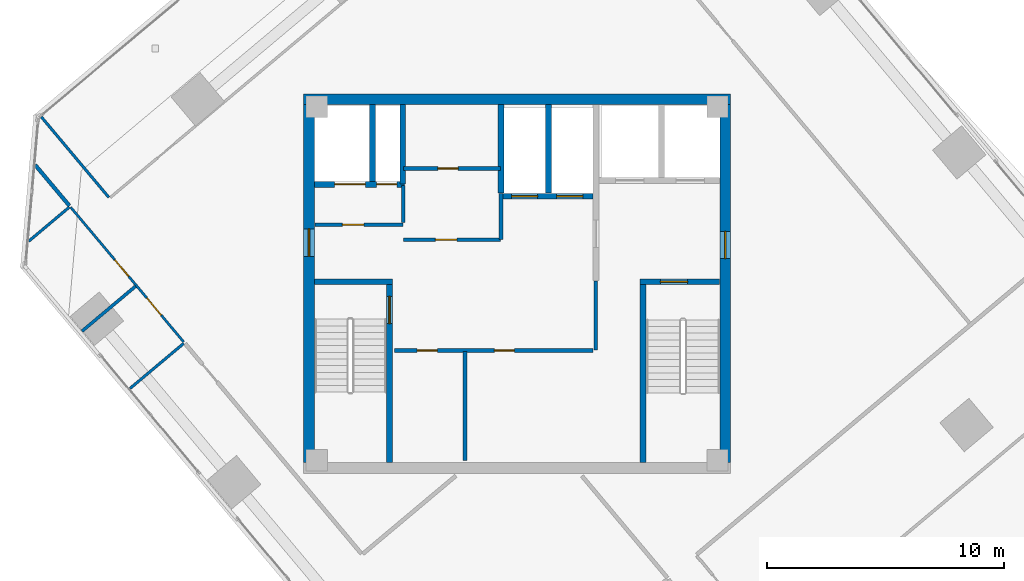
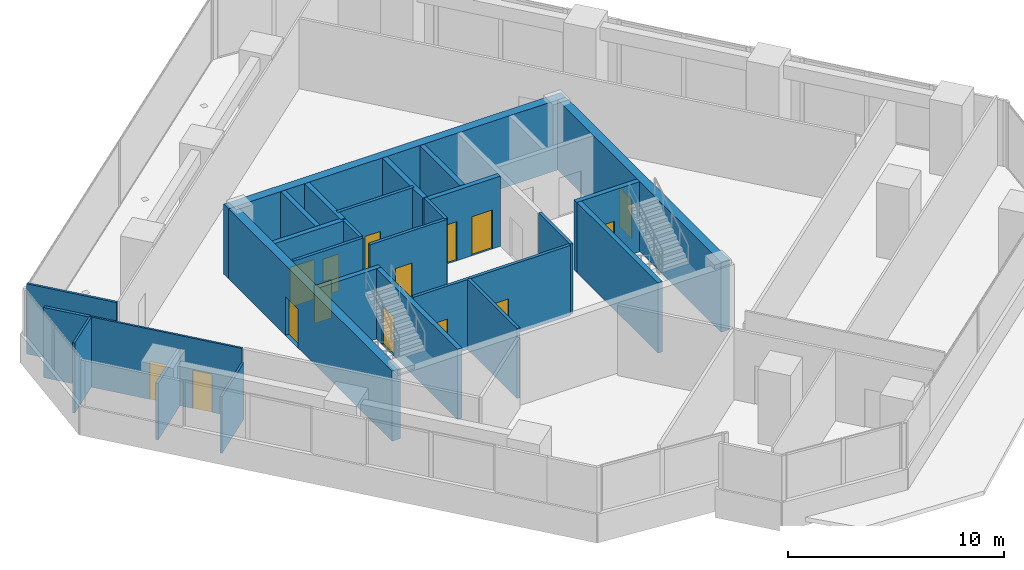
# One storey, part 13 of 17: 27 walls, 15 doors, 15 openings.
"""IFC4 building model written with IfcOpenShell, lengths in metres."""

from ifc_helpers import new_model, si_unit, direction, frame, frame_2d, origin, place, context, subcontext, project, spatial, rectangle, extrude, source, transform, mapped, material, layer, layer_set, type_object, element, fill, save


model = new_model("IFC4")

# Units and contexts
model_context = context("Model", 3, precision=1e-05, world=origin(), true_north=direction((0.0, 1.0)))
body_context = subcontext(model_context, "Body", "Model", "MODEL_VIEW")
ifc_project = project(units=[si_unit("LENGTHUNIT", "METRE"), si_unit("AREAUNIT", "SQUARE_METRE"), si_unit("VOLUMEUNIT", "CUBIC_METRE"), si_unit("PLANEANGLEUNIT", "RADIAN"), si_unit("MASSUNIT", "GRAM", prefix="KILO")], contexts=[model_context])

# Site, building, storey
site_placement = place(None, origin())
site = spatial("IfcSite", under=ifc_project, at=site_placement, CompositionType="ELEMENT")
building_placement = place(site_placement, origin())
building = spatial("IfcBuilding", under=site, at=building_placement, Name="Torre Montelarca", CompositionType="ELEMENT")
storey_placement = place(building_placement, frame((0.0, 0.0, 266.800048828125)))
storey = spatial("IfcBuildingStorey", under=building, at=storey_placement, Name="L60", CompositionType="ELEMENT", Elevation=266.800048828125)

# Wall, opening, door
ifc_material_1 = material(Name="Concrete C40/50", Category="concrete")
ifc_layer_1 = layer(ifc_material_1, 0.25, Name="Concrete C40/50", Category="concrete")
ifc_layer_set_1 = layer_set([ifc_layer_1], Name="Concrete C40/50")
wall_type_1 = type_object("IfcWallType", Name="CW-SHAFT-250", PredefinedType="SHEAR", material=ifc_layer_set_1)
wall_1_placement = place(storey_placement, frame((12.625, 24.4599609375, 0.0), z_axis=(0.0, 0.0, 1.0), x_axis=(0.0, 1.0, 0.0)))
wall_1 = element("IfcWall", 1, at=wall_1_placement, inside=storey, type_object=wall_type_1, Name="L60 Core Shear Wall SH-ST1-E", PredefinedType="SHEAR", context=body_context, shape_type="SweptSolid", body=[
    extrude(rectangle(XDim=7.489990234375, YDim=0.25, at=frame_2d((3.7451171875, 0.0))), origin(), (0.0, 0.0, 1.0), 3.9599609375),
])
opening_1_placement = place(wall_1_placement, frame((5.85009765625, 0.0, 0.0)))
opening_1 = element("IfcOpeningElement", 2, at=opening_1_placement, cuts=wall_1, Name="Opening FD-ST1", PredefinedType="OPENING", context=body_context, shape_type="SweptSolid", body=[
    extrude(rectangle(XDim=1.14990234375, YDim=2.199951171875, at=frame_2d((0.574951171875, 1.10009765625))), frame((0.0, 0.135009765625, 0.0), z_axis=(0.0, -1.0, 0.0), x_axis=(1.0, 0.0, 0.0)), (0.0, 0.0, 1.0), 0.27001953125),
])
ifc_material_2 = material(Name="Galvanized steel fire door", Category="steel")
door_type_1 = type_object("IfcDoorType", Name="DR-STAIR-115", OperationType="NOTDEFINED", PredefinedType="DOOR", material=ifc_material_2)
shared_shape_1 = source(origin(), body_context, "Body", "SweptSolid", [
    extrude(rectangle(XDim=1.14990234375, YDim=2.199951171875, at=frame_2d((0.574951171875, 1.10009765625))), frame((0.0, 0.02490234375, 0.0), z_axis=(0.0, -1.0, 0.0), x_axis=(1.0, 0.0, 0.0)), (0.0, 0.0, 1.0), 0.050048828125),
])
door_1_placement = place(opening_1_placement, origin())
door_1 = element("IfcDoor", 3, at=door_1_placement, inside=storey, type_object=door_type_1, Name="L60 Exit Stair ST1 Fire Door", OperationType="SINGLE_SWING_RIGHT", OverallHeight=2.199951171875, OverallWidth=1.14990234375, PredefinedType="DOOR", context=body_context, shape_type="MappedRepresentation", body=[
    mapped(shared_shape_1, transform((0.0, 0.0, 0.0), scale=1.0)),
])
fill(opening_1, door_1)

# Walls
wall_2_placement = place(storey_placement, frame((9.4599609375, 32.074951171875, 0.0), z_axis=(0.0, 0.0, 1.0), x_axis=(1.0, 0.0, 0.0)))
element("IfcWall", 4, at=wall_2_placement, inside=storey, type_object=wall_type_1, Name="L60 Core Shear Wall SH-ST1-N", PredefinedType="SHEAR", context=body_context, shape_type="SweptSolid", body=[
    extrude(rectangle(XDim=3.2900390625, YDim=0.25, at=frame_2d((1.64501953125, 0.0))), origin(), (0.0, 0.0, 1.0), 3.9599609375),
])
wall_3_placement = place(storey_placement, frame((23.31494140625, 24.4599609375, 0.0), z_axis=(0.0, 0.0, 1.0), x_axis=(0.0, 1.0, 0.0)))
element("IfcWall", 5, at=wall_3_placement, inside=storey, type_object=wall_type_1, Name="L60 Core Shear Wall SH-ST2-W", PredefinedType="SHEAR", context=body_context, shape_type="SweptSolid", body=[
    extrude(rectangle(XDim=7.489990234375, YDim=0.25, at=frame_2d((3.7451171875, 0.0))), origin(), (0.0, 0.0, 1.0), 3.9599609375),
])

# Wall, opening, door
wall_4_placement = place(storey_placement, frame((23.18994140625, 32.074951171875, 0.0), z_axis=(0.0, 0.0, 1.0), x_axis=(1.0, 0.0, 0.0)))
wall_4 = element("IfcWall", 6, at=wall_4_placement, inside=storey, type_object=wall_type_1, Name="L60 Core Shear Wall SH-ST2-N", PredefinedType="SHEAR", context=body_context, shape_type="SweptSolid", body=[
    extrude(rectangle(XDim=3.35009765625, YDim=0.25, at=frame_2d((1.675048828125, 0.0))), origin(), (0.0, 0.0, 1.0), 3.9599609375),
])
opening_2_placement = place(wall_4_placement, frame((0.85009765625, 0.0, 0.0)))
opening_2 = element("IfcOpeningElement", 7, at=opening_2_placement, cuts=wall_4, Name="Opening FD-ST1", PredefinedType="OPENING", context=body_context, shape_type="SweptSolid", body=[
    extrude(rectangle(XDim=1.14990234375, YDim=2.199951171875, at=frame_2d((0.574951171875, 1.10009765625))), frame((0.0, 0.135009765625, 0.0), z_axis=(0.0, -1.0, 0.0), x_axis=(1.0, 0.0, 0.0)), (0.0, 0.0, 1.0), 0.27001953125),
])
door_2_placement = place(opening_2_placement, origin())
door_2 = element("IfcDoor", 8, at=door_2_placement, inside=storey, type_object=door_type_1, Name="L60 Exit Stair ST2 Fire Door", OperationType="SINGLE_SWING_RIGHT", OverallHeight=2.199951171875, OverallWidth=1.14990234375, PredefinedType="DOOR", context=body_context, shape_type="MappedRepresentation", body=[
    mapped(shared_shape_1, transform((0.0, 0.0, 0.0), scale=1.0)),
])
fill(opening_2, door_2)

# Wall, openings, doors
wall_5_placement = place(storey_placement, frame((9.4599609375, 36.179931640625, 0.0), z_axis=(0.0, 0.0, 1.0), x_axis=(1.0, 0.0, 0.0)))
wall_5 = element("IfcWall", 9, at=wall_5_placement, inside=storey, type_object=wall_type_1, Name="L60 Core Shear Wall SH-SV1-S", PredefinedType="SHEAR", context=body_context, shape_type="SweptSolid", body=[
    extrude(rectangle(XDim=3.7900390625, YDim=0.25, at=frame_2d((1.89501953125, 0.0))), origin(), (0.0, 0.0, 1.0), 3.9599609375),
])
opening_3_placement = place(wall_5_placement, frame((2.6201171875, 0.0, 0.0)))
opening_3 = element("IfcOpeningElement", 10, at=opening_3_placement, cuts=wall_5, Name="Opening FD-085", PredefinedType="OPENING", context=body_context, shape_type="SweptSolid", body=[
    extrude(rectangle(XDim=0.85009765625, YDim=2.10009765625, at=frame_2d((0.425048828125, 1.050048828125))), frame((0.0, 0.135009765625, 0.0), z_axis=(0.0, -1.0, 0.0), x_axis=(1.0, 0.0, 0.0)), (0.0, 0.0, 1.0), 0.27001953125),
])
opening_4_placement = place(wall_5_placement, frame((0.85009765625, 0.0, 0.0)))
opening_4 = element("IfcOpeningElement", 11, at=opening_4_placement, cuts=wall_5, Name="Opening LD-130", PredefinedType="OPENING", context=body_context, shape_type="SweptSolid", body=[
    extrude(rectangle(XDim=1.300048828125, YDim=2.25, at=frame_2d((0.64990234375, 1.125))), frame((0.0, 0.135009765625, 0.0), z_axis=(0.0, -1.0, 0.0), x_axis=(1.0, 0.0, 0.0)), (0.0, 0.0, 1.0), 0.27001953125),
])
ifc_material_3 = material(Name="Steel riser access fire door", Category="steel")
door_type_2 = type_object("IfcDoorType", Name="DR-RISER-085", OperationType="NOTDEFINED", PredefinedType="DOOR", material=ifc_material_3)
shared_shape_2 = source(origin(), body_context, "Body", "SweptSolid", [
    extrude(rectangle(XDim=0.85009765625, YDim=2.10009765625, at=frame_2d((0.425048828125, 1.050048828125))), frame((0.0, 0.02490234375, 0.0), z_axis=(0.0, -1.0, 0.0), x_axis=(1.0, 0.0, 0.0)), (0.0, 0.0, 1.0), 0.050048828125),
])
door_3_placement = place(opening_3_placement, origin())
door_3 = element("IfcDoor", 12, at=door_3_placement, inside=storey, type_object=door_type_2, Name="L60 Electrical Riser Shaft Access Door", OperationType="SINGLE_SWING_RIGHT", OverallHeight=2.10009765625, OverallWidth=0.85009765625, PredefinedType="DOOR", context=body_context, shape_type="MappedRepresentation", body=[
    mapped(shared_shape_2, transform((0.0, 0.0, 0.0), scale=1.0)),
])
fill(opening_3, door_3)
ifc_material_4 = material(Name="Brushed stainless steel AISI 316", Category="steel")
door_type_3 = type_object("IfcDoorType", Name="DR-LIFT-130", OperationType="SLIDING_TO_LEFT", PredefinedType="DOOR", material=ifc_material_4)
shared_shape_3 = source(origin(), body_context, "Body", "SweptSolid", [
    extrude(rectangle(XDim=1.300048828125, YDim=2.25, at=frame_2d((0.64990234375, 1.125))), frame((0.0, 0.02490234375, 0.0), z_axis=(0.0, -1.0, 0.0), x_axis=(1.0, 0.0, 0.0)), (0.0, 0.0, 1.0), 0.050048828125),
])
door_4_placement = place(opening_4_placement, origin())
door_4 = element("IfcDoor", 13, at=door_4_placement, inside=storey, type_object=door_type_3, Name="L60 Lift Landing Sliding Door SV-1", OperationType="SLIDING_TO_LEFT", OverallHeight=2.25, OverallWidth=1.300048828125, PredefinedType="DOOR", context=body_context, shape_type="MappedRepresentation", body=[
    mapped(shared_shape_3, transform((0.0, 0.0, 0.0), scale=1.0)),
])
fill(opening_4, door_4)

# Walls
wall_6_placement = place(storey_placement, frame((11.89990234375, 36.31005859375, 0.0), z_axis=(0.0, 0.0, 1.0), x_axis=(0.0, 1.0, 0.0)))
element("IfcWall", 14, at=wall_6_placement, inside=storey, type_object=wall_type_1, Name="L60 Core Shear Wall SH-SV1-E", PredefinedType="SHEAR", context=body_context, shape_type="SweptSolid", body=[
    extrude(rectangle(XDim=3.22998046875, YDim=0.25, at=frame_2d((1.614990234375, 0.0))), origin(), (0.0, 0.0, 1.0), 3.9599609375),
])
wall_7_placement = place(storey_placement, frame((13.179931640625, 36.199951171875, 0.0), z_axis=(0.0, 0.0, 1.0), x_axis=(0.0, 1.0, 0.0)))
element("IfcWall", 15, at=wall_7_placement, inside=storey, type_object=wall_type_1, Name="L60 Core Shear Wall SH-RSR1-E", PredefinedType="SHEAR", context=body_context, shape_type="SweptSolid", body=[
    extrude(rectangle(XDim=3.340087890625, YDim=0.25, at=frame_2d((1.669921875, 0.0))), origin(), (0.0, 0.0, 1.0), 3.9599609375),
])

# Wall, openings, doors
wall_8_placement = place(storey_placement, frame((17.320068359375, 35.679931640625, 0.0), z_axis=(0.0, 0.0, 1.0), x_axis=(1.0, 0.0, 0.0)))
wall_8 = element("IfcWall", 16, at=wall_8_placement, inside=storey, type_object=wall_type_1, Name="L60 Core Shear Wall SH-PLH-S", PredefinedType="SHEAR", context=body_context, shape_type="SweptSolid", body=[
    extrude(rectangle(XDim=3.869873046875, YDim=0.25, at=frame_2d((1.93505859375, 0.0))), origin(), (0.0, 0.0, 1.0), 3.9599609375),
])
opening_5_placement = place(wall_8_placement, frame((0.449951171875, 0.0, 0.0)))
opening_5 = element("IfcOpeningElement", 17, at=opening_5_placement, cuts=wall_8, Name="Opening LD-110", PredefinedType="OPENING", context=body_context, shape_type="SweptSolid", body=[
    extrude(rectangle(XDim=1.10009765625, YDim=2.199951171875, at=frame_2d((0.550048828125, 1.10009765625))), frame((0.0, 0.135009765625, 0.0), z_axis=(0.0, -1.0, 0.0), x_axis=(1.0, 0.0, 0.0)), (0.0, 0.0, 1.0), 0.27001953125),
])
opening_6_placement = place(wall_8_placement, frame((2.35009765625, 0.0, 0.0)))
opening_6 = element("IfcOpeningElement", 18, at=opening_6_placement, cuts=wall_8, Name="Opening LD-110", PredefinedType="OPENING", context=body_context, shape_type="SweptSolid", body=[
    extrude(rectangle(XDim=1.10009765625, YDim=2.199951171875, at=frame_2d((0.550048828125, 1.10009765625))), frame((0.0, 0.135009765625, 0.0), z_axis=(0.0, -1.0, 0.0), x_axis=(1.0, 0.0, 0.0)), (0.0, 0.0, 1.0), 0.27001953125),
])
door_type_4 = type_object("IfcDoorType", Name="DR-LIFT-110", OperationType="SLIDING_TO_LEFT", PredefinedType="DOOR", material=ifc_material_4)
shared_shape_4 = source(origin(), body_context, "Body", "SweptSolid", [
    extrude(rectangle(XDim=1.10009765625, YDim=2.199951171875, at=frame_2d((0.550048828125, 1.10009765625))), frame((0.0, 0.02490234375, 0.0), z_axis=(0.0, -1.0, 0.0), x_axis=(1.0, 0.0, 0.0)), (0.0, 0.0, 1.0), 0.050048828125),
])
door_5_placement = place(opening_5_placement, origin())
door_5 = element("IfcDoor", 19, at=door_5_placement, inside=storey, type_object=door_type_4, Name="L60 Lift Landing Sliding Door PL-H1", OperationType="SLIDING_TO_LEFT", OverallHeight=2.199951171875, OverallWidth=1.10009765625, PredefinedType="DOOR", context=body_context, shape_type="MappedRepresentation", body=[
    mapped(shared_shape_4, transform((0.0, 0.0, 0.0), scale=1.0)),
])
fill(opening_5, door_5)
door_6_placement = place(opening_6_placement, origin())
door_6 = element("IfcDoor", 20, at=door_6_placement, inside=storey, type_object=door_type_4, Name="L60 Lift Landing Sliding Door PL-H2", OperationType="SLIDING_TO_RIGHT", OverallHeight=2.199951171875, OverallWidth=1.10009765625, PredefinedType="DOOR", context=body_context, shape_type="MappedRepresentation", body=[
    mapped(shared_shape_4, transform((0.0, 0.0, 0.0), scale=1.0)),
])
fill(opening_6, door_6)

# Walls
for number, where, z_axis, x_axis, name in (
    (21, (17.320068359375, 35.81005859375, 0.0), (0.0, 0.0, 1.0), (0.0, 1.0, 0.0), "L60 Core Shear Wall SH-PLH-W"),
    (22, (19.320068359375, 35.81005859375, 0.0), (0.0, 0.0, 1.0), (0.0, 1.0, 0.0), "L60 Core Shear Wall SH-PLH-M"),
):
    element("IfcWall", number, at=place(storey_placement, frame(where, z_axis=z_axis, x_axis=x_axis)), inside=storey, type_object=wall_type_1, Name=name, PredefinedType="SHEAR", context=body_context, shape_type="SweptSolid", body=[
        extrude(rectangle(XDim=3.72998046875, YDim=0.25, at=frame_2d((1.864990234375, 0.0))), origin(), (0.0, 0.0, 1.0), 3.9599609375),
    ])

# Wall, opening, door
ifc_material_5 = material(Name="Concrete C55/67", Category="concrete")
ifc_layer_2 = layer(ifc_material_5, 0.449951171875, Name="Concrete C55/67", Category="concrete")
ifc_layer_set_2 = layer_set([ifc_layer_2], Name="Concrete C55/67")
wall_type_2 = type_object("IfcWallType", Name="CW-SHEAR-450", PredefinedType="SHEAR", material=ifc_layer_set_2)
wall_9_placement = place(storey_placement, frame((9.22509765625, 24.449951171875, 0.0), z_axis=(0.0, 0.0, 1.0), x_axis=(0.0, 1.0, 0.0)))
wall_9 = element("IfcWall", 23, at=wall_9_placement, inside=storey, type_object=wall_type_2, Name="L60 Core Shear Wall CW-W", PredefinedType="SHEAR", context=body_context, shape_type="SweptSolid", body=[
    extrude(rectangle(XDim=15.10009765625, YDim=0.449951171875, at=frame_2d((7.550048828125, 0.0))), origin(), (0.0, 0.0, 1.0), 3.9599609375),
])
opening_7_placement = place(wall_9_placement, frame((8.699951171875, 0.0, 0.0)))
opening_7 = element("IfcOpeningElement", 24, at=opening_7_placement, cuts=wall_9, Name="Opening FD-LB1", PredefinedType="OPENING", context=body_context, shape_type="SweptSolid", body=[
    extrude(rectangle(XDim=1.14990234375, YDim=2.199951171875, at=frame_2d((0.574951171875, 1.10009765625))), frame((0.0, 0.23486328125, 0.0), z_axis=(0.0, -1.0, 0.0), x_axis=(1.0, 0.0, 0.0)), (0.0, 0.0, 1.0), 0.469970703125),
])
ifc_material_6 = material(Name="Acoustic timber-veneered fire door", Category="wood")
door_type_5 = type_object("IfcDoorType", Name="DR-LOBBY-115", OperationType="NOTDEFINED", PredefinedType="DOOR", material=ifc_material_6)
shared_shape_5 = source(origin(), body_context, "Body", "SweptSolid", [
    extrude(rectangle(XDim=1.14990234375, YDim=2.199951171875, at=frame_2d((0.574951171875, 1.10009765625))), frame((0.0, 0.02490234375, 0.0), z_axis=(0.0, -1.0, 0.0), x_axis=(1.0, 0.0, 0.0)), (0.0, 0.0, 1.0), 0.050048828125),
])
door_7_placement = place(opening_7_placement, origin())
door_7 = element("IfcDoor", 25, at=door_7_placement, inside=storey, type_object=door_type_5, Name="L60 Passenger Lift Lobby West Corridor Fire Door", OperationType="SINGLE_SWING_RIGHT", OverallHeight=2.199951171875, OverallWidth=1.14990234375, PredefinedType="DOOR", context=body_context, shape_type="MappedRepresentation", body=[
    mapped(shared_shape_5, transform((0.0, 0.0, 0.0), scale=1.0)),
])
fill(opening_7, door_7)

wall_10_placement = place(storey_placement, frame((26.77490234375, 24.449951171875, 0.0), z_axis=(0.0, 0.0, 1.0), x_axis=(0.0, 1.0, 0.0)))
wall_10 = element("IfcWall", 26, at=wall_10_placement, inside=storey, type_object=wall_type_2, Name="L60 Core Shear Wall CW-E", PredefinedType="SHEAR", context=body_context, shape_type="SweptSolid", body=[
    extrude(rectangle(XDim=15.10009765625, YDim=0.449951171875, at=frame_2d((7.550048828125, 0.0))), origin(), (0.0, 0.0, 1.0), 3.9599609375),
])
opening_8_placement = place(wall_10_placement, frame((8.60009765625, 0.0, 0.0)))
opening_8 = element("IfcOpeningElement", 27, at=opening_8_placement, cuts=wall_10, Name="Opening FD-LB1", PredefinedType="OPENING", context=body_context, shape_type="SweptSolid", body=[
    extrude(rectangle(XDim=1.14990234375, YDim=2.199951171875, at=frame_2d((0.574951171875, 1.10009765625))), frame((0.0, 0.23486328125, 0.0), z_axis=(0.0, -1.0, 0.0), x_axis=(1.0, 0.0, 0.0)), (0.0, 0.0, 1.0), 0.469970703125),
])
door_8_placement = place(opening_8_placement, origin())
door_8 = element("IfcDoor", 28, at=door_8_placement, inside=storey, type_object=door_type_5, Name="L60 Firefighting Lift Lobby Corridor Fire Door", OperationType="SINGLE_SWING_RIGHT", OverallHeight=2.199951171875, OverallWidth=1.14990234375, PredefinedType="DOOR", context=body_context, shape_type="MappedRepresentation", body=[
    mapped(shared_shape_5, transform((0.0, 0.0, 0.0), scale=1.0)),
])
fill(opening_8, door_8)

# Wall
wall_11_placement = place(storey_placement, frame((9.0, 39.77490234375, 0.0), z_axis=(0.0, 0.0, 1.0), x_axis=(1.0, 0.0, 0.0)))
element("IfcWall", 29, at=wall_11_placement, inside=storey, type_object=wall_type_2, Name="L60 Core Shear Wall CW-N1", PredefinedType="SHEAR", context=body_context, shape_type="SweptSolid", body=[
    extrude(rectangle(XDim=18.0, YDim=0.449951171875, at=frame_2d((9.0, 0.0))), origin(), (0.0, 0.0, 1.0), 3.9599609375),
])

# Wall, opening, door
ifc_material_7 = material(Name="Gypsum plasterboard on steel stud", Category="steel")
ifc_layer_3 = layer(ifc_material_7, 0.159912109375, Name="Gypsum plasterboard on steel stud", Category="steel")
ifc_layer_set_3 = layer_set([ifc_layer_3], Name="Gypsum plasterboard on steel stud")
wall_type_3 = type_object("IfcWallType", Name="PW-FIRE-160", PredefinedType="PARTITIONING", material=ifc_layer_set_3)
wall_12_placement = place(storey_placement, frame((9.489990234375, 34.47998046875, 0.0), z_axis=(0.0, 0.0, 1.0), x_axis=(1.0, 0.0, 0.0)))
wall_12 = element("IfcWall", 30, at=wall_12_placement, inside=storey, type_object=wall_type_3, Name="L60 Interior Partition CW-L60-SVS", PredefinedType="PARTITIONING", context=body_context, shape_type="SweptSolid", body=[
    extrude(rectangle(XDim=3.699951171875, YDim=0.159912109375, at=frame_2d((1.85009765625, 0.0))), origin(), (0.0, 0.0, 1.0), 3.9599609375),
])
opening_9_placement = place(wall_12_placement, frame((1.14990234375, 0.0, 0.0)))
opening_9 = element("IfcOpeningElement", 31, at=opening_9_placement, cuts=wall_12, Name="Opening FD-090", PredefinedType="OPENING", context=body_context, shape_type="SweptSolid", body=[
    extrude(rectangle(XDim=0.89990234375, YDim=2.14990234375, at=frame_2d((0.449951171875, 1.074951171875))), frame((0.0, 0.08984375, 0.0), z_axis=(0.0, -1.0, 0.0), x_axis=(1.0, 0.0, 0.0)), (0.0, 0.0, 1.0), 0.179931640625),
])
ifc_material_8 = material(Name="Steel service fire door", Category="steel")
door_type_6 = type_object("IfcDoorType", Name="DR-FIRE-090", OperationType="NOTDEFINED", PredefinedType="DOOR", material=ifc_material_8)
shared_shape_6 = source(origin(), body_context, "Body", "SweptSolid", [
    extrude(rectangle(XDim=0.89990234375, YDim=2.14990234375, at=frame_2d((0.449951171875, 1.074951171875))), frame((0.0, 0.02490234375, 0.0), z_axis=(0.0, -1.0, 0.0), x_axis=(1.0, 0.0, 0.0)), (0.0, 0.0, 1.0), 0.050048828125),
])
door_9_placement = place(opening_9_placement, origin())
door_9 = element("IfcDoor", 32, at=door_9_placement, inside=storey, type_object=door_type_6, Name="L60 Interior Door 01", OperationType="SINGLE_SWING_RIGHT", OverallHeight=2.14990234375, OverallWidth=0.89990234375, PredefinedType="DOOR", context=body_context, shape_type="MappedRepresentation", body=[
    mapped(shared_shape_6, transform((0.0, 0.0, 0.0), scale=1.0)),
])
fill(opening_9, door_9)

# Wall
wall_13_placement = place(storey_placement, frame((13.199951171875, 34.570068359375, 0.0), z_axis=(0.0, 0.0, 1.0), x_axis=(0.0, 1.0, 0.0)))
element("IfcWall", 33, at=wall_13_placement, inside=storey, type_object=wall_type_3, Name="L60 Interior Partition CW-L60-SVE", PredefinedType="PARTITIONING", context=body_context, shape_type="SweptSolid", body=[
    extrude(rectangle(XDim=1.56982421875, YDim=0.159912109375, at=frame_2d((0.784912109375, 0.0))), origin(), (0.0, 0.0, 1.0), 3.9599609375),
])

# Wall, opening, door
wall_14_placement = place(storey_placement, frame((13.2099609375, 33.85009765625, 0.0), z_axis=(0.0, 0.0, 1.0), x_axis=(1.0, 0.0, 0.0)))
wall_14 = element("IfcWall", 34, at=wall_14_placement, inside=storey, type_object=wall_type_3, Name="L60 Interior Partition CW-L60-FRMS", PredefinedType="PARTITIONING", context=body_context, shape_type="SweptSolid", body=[
    extrude(rectangle(XDim=4.10009765625, YDim=0.159912109375, at=frame_2d((2.050048828125, 0.0))), origin(), (0.0, 0.0, 1.0), 3.9599609375),
])
opening_10_placement = place(wall_14_placement, frame((1.35009765625, 0.0, 0.0)))
opening_10 = element("IfcOpeningElement", 35, at=opening_10_placement, cuts=wall_14, Name="Opening FD-090", PredefinedType="OPENING", context=body_context, shape_type="SweptSolid", body=[
    extrude(rectangle(XDim=0.89990234375, YDim=2.14990234375, at=frame_2d((0.449951171875, 1.074951171875))), frame((0.0, 0.08984375, 0.0), z_axis=(0.0, -1.0, 0.0), x_axis=(1.0, 0.0, 0.0)), (0.0, 0.0, 1.0), 0.179931640625),
])
door_10_placement = place(opening_10_placement, origin())
door_10 = element("IfcDoor", 36, at=door_10_placement, inside=storey, type_object=door_type_6, Name="L60 Interior Door 02", OperationType="SINGLE_SWING_LEFT", OverallHeight=2.14990234375, OverallWidth=0.89990234375, PredefinedType="DOOR", context=body_context, shape_type="MappedRepresentation", body=[
    mapped(shared_shape_6, transform((0.0, 0.0, 0.0), scale=1.0)),
])
fill(opening_10, door_10)

# Wall
wall_15_placement = place(storey_placement, frame((17.320068359375, 33.860107421875, 0.0), z_axis=(0.0, 0.0, 1.0), x_axis=(0.0, 1.0, 0.0)))
element("IfcWall", 37, at=wall_15_placement, inside=storey, type_object=wall_type_3, Name="L60 Interior Partition CW-L60-FRME", PredefinedType="PARTITIONING", context=body_context, shape_type="SweptSolid", body=[
    extrude(rectangle(XDim=1.929931640625, YDim=0.159912109375, at=frame_2d((0.96484375, 0.0))), origin(), (0.0, 0.0, 1.0), 3.9599609375),
])

# Wall, opening, door
wall_16_placement = place(storey_placement, frame((13.2099609375, 36.85009765625, 0.0), z_axis=(0.0, 0.0, 1.0), x_axis=(1.0, 0.0, 0.0)))
wall_16 = element("IfcWall", 38, at=wall_16_placement, inside=storey, type_object=wall_type_3, Name="L60 Interior Partition CW-L60-FRMD", PredefinedType="PARTITIONING", context=body_context, shape_type="SweptSolid", body=[
    extrude(rectangle(XDim=4.10009765625, YDim=0.159912109375, at=frame_2d((2.050048828125, 0.0))), origin(), (0.0, 0.0, 1.0), 3.9599609375),
])
opening_11_placement = place(wall_16_placement, frame((1.449951171875, 0.0, 0.0)))
opening_11 = element("IfcOpeningElement", 39, at=opening_11_placement, cuts=wall_16, Name="Opening FD-085", PredefinedType="OPENING", context=body_context, shape_type="SweptSolid", body=[
    extrude(rectangle(XDim=0.85009765625, YDim=2.10009765625, at=frame_2d((0.425048828125, 1.050048828125))), frame((0.0, 0.08984375, 0.0), z_axis=(0.0, -1.0, 0.0), x_axis=(1.0, 0.0, 0.0)), (0.0, 0.0, 1.0), 0.179931640625),
])
door_11_placement = place(opening_11_placement, origin())
door_11 = element("IfcDoor", 40, at=door_11_placement, inside=storey, type_object=door_type_2, Name="L60 Interior Door 03", OperationType="SINGLE_SWING_RIGHT", OverallHeight=2.10009765625, OverallWidth=0.85009765625, PredefinedType="DOOR", context=body_context, shape_type="MappedRepresentation", body=[
    mapped(shared_shape_2, transform((0.0, 0.0, 0.0), scale=1.0)),
])
fill(opening_11, door_11)

# Wall, openings, doors
wall_17_placement = place(storey_placement, frame((12.840087890625, 29.179931640625, 0.0), z_axis=(0.0, 0.0, 1.0), x_axis=(1.0, 0.0, 0.0)))
wall_17 = element("IfcWall", 41, at=wall_17_placement, inside=storey, type_object=wall_type_3, Name="L60 Interior Partition CW-L60-FRDN", PredefinedType="PARTITIONING", context=body_context, shape_type="SweptSolid", body=[
    extrude(rectangle(XDim=8.369873046875, YDim=0.159912109375, at=frame_2d((4.18505859375, 0.0))), origin(), (0.0, 0.0, 1.0), 3.9599609375),
])
opening_12_placement = place(wall_17_placement, frame((0.949951171875, 0.0, 0.0)))
opening_12 = element("IfcOpeningElement", 42, at=opening_12_placement, cuts=wall_17, Name="Opening FD-085", PredefinedType="OPENING", context=body_context, shape_type="SweptSolid", body=[
    extrude(rectangle(XDim=0.85009765625, YDim=2.10009765625, at=frame_2d((0.425048828125, 1.050048828125))), frame((0.0, 0.08984375, 0.0), z_axis=(0.0, -1.0, 0.0), x_axis=(1.0, 0.0, 0.0)), (0.0, 0.0, 1.0), 0.179931640625),
])
opening_13_placement = place(wall_17_placement, frame((4.199951171875, 0.0, 0.0)))
opening_13 = element("IfcOpeningElement", 43, at=opening_13_placement, cuts=wall_17, Name="Opening FD-085", PredefinedType="OPENING", context=body_context, shape_type="SweptSolid", body=[
    extrude(rectangle(XDim=0.85009765625, YDim=2.10009765625, at=frame_2d((0.425048828125, 1.050048828125))), frame((0.0, 0.08984375, 0.0), z_axis=(0.0, -1.0, 0.0), x_axis=(1.0, 0.0, 0.0)), (0.0, 0.0, 1.0), 0.179931640625),
])
door_12_placement = place(opening_12_placement, origin())
door_12 = element("IfcDoor", 44, at=door_12_placement, inside=storey, type_object=door_type_2, Name="L60 Interior Door 04", OperationType="SINGLE_SWING_LEFT", OverallHeight=2.10009765625, OverallWidth=0.85009765625, PredefinedType="DOOR", context=body_context, shape_type="MappedRepresentation", body=[
    mapped(shared_shape_2, transform((0.0, 0.0, 0.0), scale=1.0)),
])
fill(opening_12, door_12)
door_13_placement = place(opening_13_placement, origin())
door_13 = element("IfcDoor", 45, at=door_13_placement, inside=storey, type_object=door_type_2, Name="L60 Interior Door 05", OperationType="SINGLE_SWING_RIGHT", OverallHeight=2.10009765625, OverallWidth=0.85009765625, PredefinedType="DOOR", context=body_context, shape_type="MappedRepresentation", body=[
    mapped(shared_shape_2, transform((0.0, 0.0, 0.0), scale=1.0)),
])
fill(opening_13, door_13)

# Walls
wall_18_placement = place(storey_placement, frame((15.800048828125, 24.5400390625, 0.0), z_axis=(0.0, 0.0, 1.0), x_axis=(0.0, 1.0, 0.0)))
element("IfcWall", 46, at=wall_18_placement, inside=storey, type_object=wall_type_3, Name="L60 Interior Partition CW-L60-FRD1", PredefinedType="PARTITIONING", context=body_context, shape_type="SweptSolid", body=[
    extrude(rectangle(XDim=4.599853515625, YDim=0.159912109375, at=frame_2d((2.2998046875, 0.0))), origin(), (0.0, 0.0, 1.0), 3.9599609375),
])
wall_19_placement = place(storey_placement, frame((21.320068359375, 29.18994140625, 0.0), z_axis=(0.0, 0.0, 1.0), x_axis=(0.0, 1.0, 0.0)))
element("IfcWall", 47, at=wall_19_placement, inside=storey, type_object=wall_type_3, Name="L60 Interior Partition CW-L60-FRE", PredefinedType="PARTITIONING", context=body_context, shape_type="SweptSolid", body=[
    extrude(rectangle(XDim=2.920166015625, YDim=0.159912109375, at=frame_2d((1.4599609375, 0.0))), origin(), (0.0, 0.0, 1.0), 3.9599609375),
])
wall_20_placement = place(storey_placement, frame((-2.3115234375, 36.994873046875, 0.0), z_axis=(0.0, 0.0, 1.0), x_axis=(0.642783398336, -0.766047976842, 0.0)))
element("IfcWall", 48, at=wall_20_placement, inside=storey, type_object=wall_type_3, Name="L60 Interior Partition W-L60-SOCCW", PredefinedType="PARTITIONING", context=body_context, shape_type="SweptSolid", body=[
    extrude(rectangle(XDim=2.241943359375, YDim=0.159912109375, at=frame_2d((1.12109375, 0.0))), origin(), (0.0, 0.0, 1.0), 3.9599609375),
])

# Wall, openings, doors
ifc_material_9 = material(Name="Acoustic laminated glass partition", Category="glass")
ifc_layer_4 = layer(ifc_material_9, 0.10009765625, Name="Acoustic laminated glass partition", Category="glass")
ifc_layer_set_4 = layer_set([ifc_layer_4], Name="Acoustic laminated glass partition")
wall_type_4 = type_object("IfcWallType", Name="PW-GLAZ-100", PredefinedType="PARTITIONING", material=ifc_layer_set_4)
wall_21_placement = place(storey_placement, frame((-0.81884765625, 35.21630859375, 0.0), z_axis=(0.0, 0.0, 1.0), x_axis=(0.642772999209, -0.766056702528, 0.0)))
wall_21 = element("IfcWall", 49, at=wall_21_placement, inside=storey, type_object=wall_type_4, Name="L60 Interior Partition W-L60-WCN", PredefinedType="PARTITIONING", context=body_context, shape_type="SweptSolid", body=[
    extrude(rectangle(XDim=7.420166015625, YDim=0.10009765625, at=frame_2d((3.7099609375, 0.0))), origin(), (0.0, 0.0, 1.0), 3.9599609375),
])
opening_14_placement = place(wall_21_placement, frame((2.89990234375, 0.0, 0.0)))
opening_14 = element("IfcOpeningElement", 50, at=opening_14_placement, cuts=wall_21, Name="Opening ID-090", PredefinedType="OPENING", context=body_context, shape_type="SweptSolid", body=[
    extrude(rectangle(XDim=0.89990234375, YDim=2.14990234375, at=frame_2d((0.449951171875, 1.074951171875))), frame((0.0, 0.06005859375, 0.0), z_axis=(0.0, -1.0, 0.0), x_axis=(1.0, 0.0, 0.0)), (0.0, 0.0, 1.0), 0.1201171875),
])
opening_15_placement = place(wall_21_placement, frame((5.0, 0.0, 0.0)))
opening_15 = element("IfcOpeningElement", 51, at=opening_15_placement, cuts=wall_21, Name="Opening ID-095", PredefinedType="OPENING", context=body_context, shape_type="SweptSolid", body=[
    extrude(rectangle(XDim=0.949951171875, YDim=2.14990234375, at=frame_2d((0.47509765625, 1.074951171875))), frame((0.0, 0.06005859375, 0.0), z_axis=(0.0, -1.0, 0.0), x_axis=(1.0, 0.0, 0.0)), (0.0, 0.0, 1.0), 0.1201171875),
])
ifc_material_10 = material(Name="Hardwood acoustic timber veneer", Category="wood")
door_type_7 = type_object("IfcDoorType", Name="DR-INT-090", OperationType="NOTDEFINED", PredefinedType="DOOR", material=ifc_material_10)
shared_shape_7 = source(origin(), body_context, "Body", "SweptSolid", [
    extrude(rectangle(XDim=0.89990234375, YDim=2.14990234375, at=frame_2d((0.449951171875, 1.074951171875))), frame((0.0, 0.02490234375, 0.0), z_axis=(0.0, -1.0, 0.0), x_axis=(1.0, 0.0, 0.0)), (0.0, 0.0, 1.0), 0.050048828125),
])
door_14_placement = place(opening_14_placement, origin())
door_14 = element("IfcDoor", 52, at=door_14_placement, inside=storey, type_object=door_type_7, Name="L60 Interior Door 06", OperationType="SINGLE_SWING_LEFT", OverallHeight=2.14990234375, OverallWidth=0.89990234375, PredefinedType="DOOR", context=body_context, shape_type="MappedRepresentation", body=[
    mapped(shared_shape_7, transform((0.0, 0.0, 0.0), scale=1.0)),
])
fill(opening_14, door_14)
door_type_8 = type_object("IfcDoorType", Name="DR-INT-095", OperationType="NOTDEFINED", PredefinedType="DOOR", material=ifc_material_10)
shared_shape_8 = source(origin(), body_context, "Body", "SweptSolid", [
    extrude(rectangle(XDim=0.949951171875, YDim=2.14990234375, at=frame_2d((0.47509765625, 1.074951171875))), frame((0.0, 0.02490234375, 0.0), z_axis=(0.0, -1.0, 0.0), x_axis=(1.0, 0.0, 0.0)), (0.0, 0.0, 1.0), 0.050048828125),
])
door_15_placement = place(opening_15_placement, origin())
door_15 = element("IfcDoor", 53, at=door_15_placement, inside=storey, type_object=door_type_8, Name="L60 Interior Door 07", OperationType="SINGLE_SWING_RIGHT", OverallHeight=2.14990234375, OverallWidth=0.949951171875, PredefinedType="DOOR", context=body_context, shape_type="MappedRepresentation", body=[
    mapped(shared_shape_8, transform((0.0, 0.0, 0.0), scale=1.0)),
])
fill(opening_15, door_15)

# Walls
ifc_layer_5 = layer(ifc_material_7, 0.114990234375, Name="Gypsum plasterboard on steel stud", Category="steel")
ifc_layer_set_5 = layer_set([ifc_layer_5], Name="Gypsum plasterboard on steel stud")
wall_type_5 = type_object("IfcWallType", Name="PW-PART-115", PredefinedType="PARTITIONING", material=ifc_layer_set_5)
wall_22_placement = place(storey_placement, frame((-2.5927734375, 33.77978515625, 0.0), z_axis=(0.0, 0.0, 1.0), x_axis=(0.765994359698, 0.642847292062, 0.0)))
element("IfcWall", 54, at=wall_22_placement, inside=storey, type_object=wall_type_5, Name="L60 Interior Partition W-L60-WCW", PredefinedType="PARTITIONING", context=body_context, shape_type="SweptSolid", body=[
    extrude(rectangle(XDim=2.2421875, YDim=0.114990234375, at=frame_2d((1.12109375, 0.0))), origin(), (0.0, 0.0, 1.0), 3.9599609375),
])
wall_23_placement = place(storey_placement, frame((1.685791015625, 27.57958984375, 0.0), z_axis=(0.0, 0.0, 1.0), x_axis=(0.766107411761, 0.642712559116, 0.0)))
element("IfcWall", 55, at=wall_23_placement, inside=storey, type_object=wall_type_5, Name="L60 Interior Partition W-L60-SWCDIV", PredefinedType="PARTITIONING", context=body_context, shape_type="SweptSolid", body=[
    extrude(rectangle(XDim=2.949951171875, YDim=0.114990234375, at=frame_2d((1.47509765625, 0.0))), origin(), (0.0, 0.0, 1.0), 3.195068359375),
])
wall_24_placement = place(storey_placement, frame((-2.0546875, 39.0224609375, 0.0), z_axis=(0.0, 0.0, 1.0), x_axis=(0.642777132802, -0.766053234147, 0.0)))
element("IfcWall", 56, at=wall_24_placement, inside=storey, type_object=wall_type_5, Name="L60 Interior Partition W-L60-WWGS", PredefinedType="PARTITIONING", context=body_context, shape_type="SweptSolid", body=[
    extrude(rectangle(XDim=4.43017578125, YDim=0.114990234375, at=frame_2d((2.215087890625, 0.0))), origin(), (0.0, 0.0, 1.0), 3.9599609375),
])
ifc_layer_6 = layer(ifc_material_7, 0.135009765625, Name="Gypsum plasterboard on steel stud", Category="steel")
ifc_layer_set_6 = layer_set([ifc_layer_6], Name="Gypsum plasterboard on steel stud")
wall_type_6 = type_object("IfcWallType", Name="PW-PART-135", PredefinedType="PARTITIONING", material=ifc_layer_set_6)
wall_25_placement = place(storey_placement, frame((-0.339111328125, 29.992431640625, 0.0), z_axis=(0.0, 0.0, 1.0), x_axis=(0.766025914603, 0.642809690465, 0.0)))
element("IfcWall", 57, at=wall_25_placement, inside=storey, type_object=wall_type_6, Name="L60 Interior Partition W-L60-WCD", PredefinedType="PARTITIONING", context=body_context, shape_type="SweptSolid", body=[
    extrude(rectangle(XDim=2.9501953125, YDim=0.135009765625, at=frame_2d((1.47509765625, 0.0))), origin(), (0.0, 0.0, 1.0), 3.195068359375),
])

save(model, "model.ifc")
